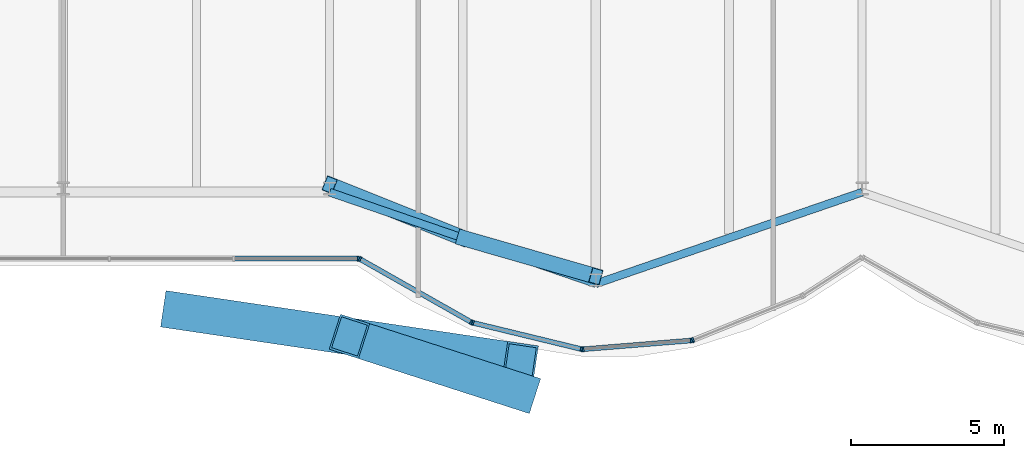
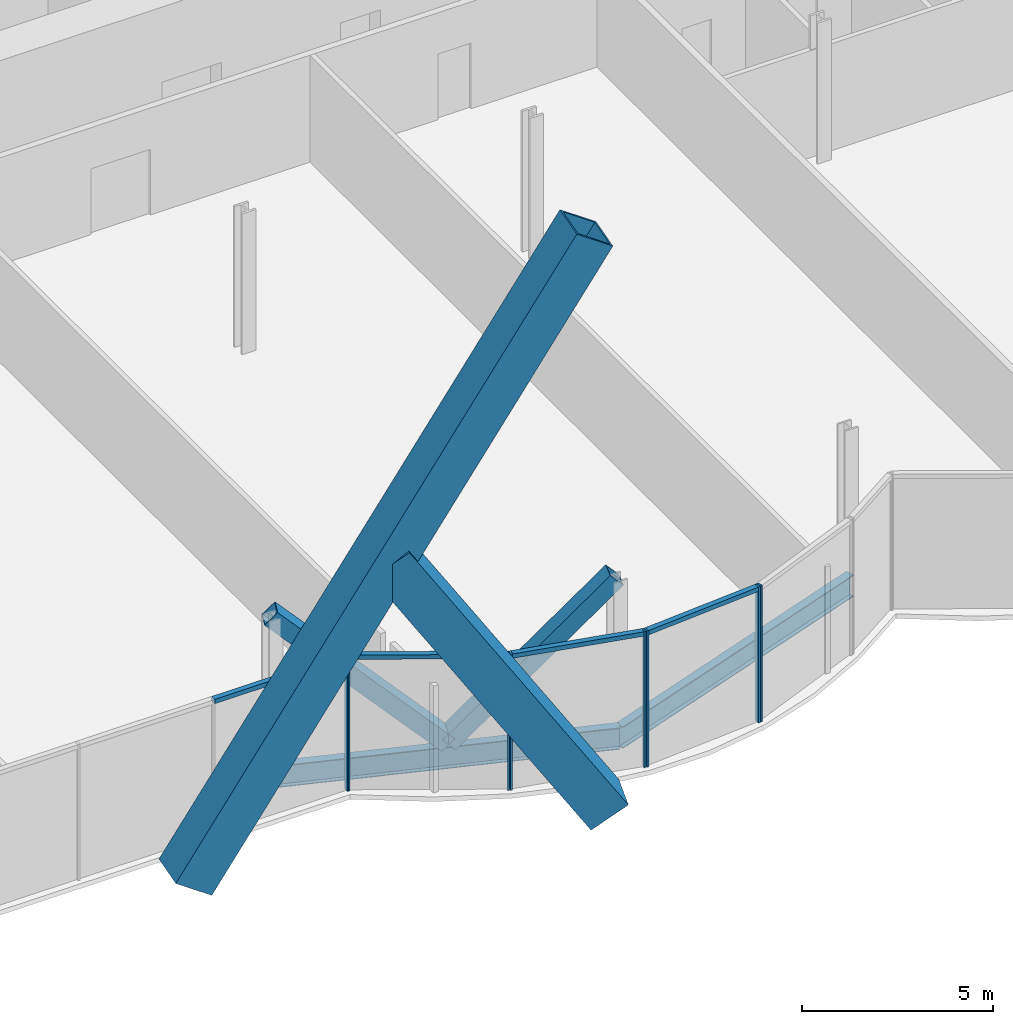
# One storey, part 5 of 23: 16 members, 2 beams, 2 elements without a shape of their own.
"""IFC4 building model written with IfcOpenShell, lengths in metres."""

import ifcopenshell
import ifcopenshell.guid

model = None  # the IFC model being written
_history = None  # IfcOwnerHistory: only IFC2X3 demands one
_inside = {}  # id of a spatial element -> (the spatial element, [elements in it])
_under = {}  # id of a project, library or spatial element -> (it, [spatial elements below it])
_declared = {}  # id of a project -> (the project, [libraries it declares])
_typed = {}  # id of a type object -> (the type object, [elements of that type])
_made_of = {}  # id of a material, layer set ... -> (it, [elements and type objects made of it])


def new_model(schema):
    """Start an empty IFC model of exactly this schema.

    Asked for "IFC4X3", IfcOpenShell would pick the latest addendum, in which some entities
    have other attributes; the version numbers below select the first issue.
    IFC2X3 requires an IfcOwnerHistory on every rooted entity: one is made here for all.
    """
    global model, _history
    if schema == "IFC4X3":
        model = ifcopenshell.file(schema_version=(4, 3, 0, 0))
    else:
        model = ifcopenshell.file(schema=schema)
    _inside.clear()
    _under.clear()
    _declared.clear()
    _typed.clear()
    _made_of.clear()
    _history = None
    if model.schema == "IFC2X3":
        org = make("IfcOrganization", Name="unknown")
        user = make(
            "IfcPersonAndOrganization",
            ThePerson=make("IfcPerson", FamilyName="unknown"),
            TheOrganization=org,
        )
        app = make(
            "IfcApplication",
            ApplicationDeveloper=org,
            Version="unknown",
            ApplicationFullName="unknown",
            ApplicationIdentifier="unknown",
        )
        _history = make(
            "IfcOwnerHistory",
            OwningUser=user,
            OwningApplication=app,
            ChangeAction="ADDED",
            CreationDate=0,
        )
    return model


def make(cls, **values):
    """One entity of the class cls with the attributes given. An attribute that is None is left unset."""
    return model.create_entity(
        cls, **{name: value for name, value in values.items() if value is not None}
    )


def rooted(cls, **values):
    """An entity with a GlobalId (a new one), such as an element, a storey or a relation."""
    return make(cls, GlobalId=ifcopenshell.guid.new(), OwnerHistory=_history, **values)


def si_unit(unit_type, name, prefix=None):
    """IfcSIUnit, for example si_unit("LENGTHUNIT", "METRE", prefix="MILLI")."""
    return make("IfcSIUnit", UnitType=unit_type, Prefix=prefix, Name=name)


def assignment(units):
    """IfcUnitAssignment: the units of a project."""
    return None if units is None else make("IfcUnitAssignment", Units=units)


def point(xyz):
    """IfcCartesianPoint."""
    return None if xyz is None else make("IfcCartesianPoint", Coordinates=xyz)


def direction(xyz):
    """IfcDirection."""
    return None if xyz is None else make("IfcDirection", DirectionRatios=xyz)


def frame(location, z_axis=None, x_axis=None):
    """IfcAxis2Placement3D, a coordinate frame: its origin and axes. An axis left out is left unset."""
    return make(
        "IfcAxis2Placement3D",
        Location=point(location),
        Axis=direction(z_axis),
        RefDirection=direction(x_axis),
    )


def frame_2d(location, x_axis=None):
    """IfcAxis2Placement2D, a coordinate frame in the plane: its origin and x axis."""
    return make(
        "IfcAxis2Placement2D", Location=point(location), RefDirection=direction(x_axis)
    )


def origin():
    """The frame at (0, 0, 0) with its axes left unset."""
    return frame((0.0, 0.0, 0.0))


def origin_2d():
    """The frame at (0, 0) in the plane with its x axis left unset."""
    return frame_2d((0.0, 0.0))


def place(relative_to, where):
    """IfcLocalPlacement: puts the frame where relative to a parent placement (None: the world)."""
    return make(
        "IfcLocalPlacement", PlacementRelTo=relative_to, RelativePlacement=where
    )


def context(
    kind, dimensions, precision=None, world=None, true_north=None, identifier=None
):
    """IfcGeometricRepresentationContext, for example the 3D "Model" context."""
    return make(
        "IfcGeometricRepresentationContext",
        ContextIdentifier=identifier,
        ContextType=kind,
        CoordinateSpaceDimension=dimensions,
        Precision=precision,
        WorldCoordinateSystem=world,
        TrueNorth=true_north,
    )


def subcontext(parent, identifier, kind, view, scale=None):
    """IfcGeometricRepresentationSubContext, for example "Body" below "Model"."""
    return make(
        "IfcGeometricRepresentationSubContext",
        ContextIdentifier=identifier,
        ContextType=kind,
        ParentContext=parent,
        TargetScale=scale,
        TargetView=view,
    )


def project(units=None, contexts=None):
    """IfcProject with its units and contexts."""
    return rooted(
        "IfcProject",
        Name="project",
        RepresentationContexts=contexts,
        UnitsInContext=assignment(units),
    )


def spatial(cls, under=None, at=None, **own):
    """A site, building, storey or space (cls), placed at a placement, below another one or the project."""
    s = rooted(cls, ObjectPlacement=at, **own)
    if under is not None:
        _under.setdefault(under.id(), (under, []))[1].append(s)
    return s


def profile(cls, at=None, kind="AREA", **sizes):
    """A parametric profile (cls). Its sizes go by their IFC names, for example OverallWidth=200.0."""
    return make(cls, ProfileType=kind, Position=at, **sizes)


def rectangle(**sizes):
    """IfcRectangleProfileDef."""
    return profile("IfcRectangleProfileDef", **sizes)


def hollow_rectangle(**sizes):
    """IfcRectangleHollowProfileDef."""
    return profile("IfcRectangleHollowProfileDef", **sizes)


def i_section(**sizes):
    """IfcIShapeProfileDef."""
    return profile("IfcIShapeProfileDef", **sizes)


def extrude(swept, where, along, depth):
    """IfcExtrudedAreaSolid: the profile swept, set in the frame where, extruded along a direction by depth."""
    return make(
        "IfcExtrudedAreaSolid",
        SweptArea=swept,
        Position=where,
        ExtrudedDirection=direction(along),
        Depth=depth,
    )


def shape(context_of_items, identifier, shape_type, items):
    """IfcShapeRepresentation: the items that make up one representation, for example the "Body"."""
    return make(
        "IfcShapeRepresentation",
        ContextOfItems=context_of_items,
        RepresentationIdentifier=identifier,
        RepresentationType=shape_type,
        Items=items,
    )


def material(Name=None, Category=None):
    """IfcMaterial."""
    return make("IfcMaterial", Name=Name, Category=Category)


def material_profile(
    of_material, cross_section, Name=None, Category=None, Priority=None
):
    """IfcMaterialProfile: a cross section and its material."""
    return make(
        "IfcMaterialProfile",
        Name=Name,
        Material=of_material,
        Profile=cross_section,
        Priority=Priority,
        Category=Category,
    )


def profile_set(profiles, Name=None, composite=None):
    """IfcMaterialProfileSet."""
    return make(
        "IfcMaterialProfileSet",
        Name=Name,
        MaterialProfiles=profiles,
        CompositeProfile=composite,
    )


def made_of(thing, what):
    """Note that an element or type object is made of a material, layer set ...; save() writes the relation."""
    if what is not None:
        _made_of.setdefault(what.id(), (what, []))[1].append(thing)
    return thing


def type_object(cls, material=None, **own):
    """A type object (cls), such as IfcWallType, which elements share."""
    return made_of(rooted(cls, **own), material)


def element(
    cls,
    number,
    at=None,
    inside=None,
    cuts=None,
    type_object=None,
    material=None,
    context=None,
    identifier="Body",
    shape_type=None,
    held_by="IfcProductDefinitionShape",
    body=None,
    shapes=None,
    **own,
):
    """One element of the class cls, such as IfcWall. Its Tag is "e" and its number.

    at: its placement. inside: the storey or other place that contains it. cuts: it is an
    opening in that element (IfcRelVoidsElement). A single representation is given by context,
    identifier, shape_type and body (its items); several are given by shapes. held_by: the class
    of the entity that holds the representations. save() writes the other relations.
    """
    e = rooted(cls, Tag="e%d" % number, ObjectPlacement=at, **own)
    if body is not None:
        shapes = [shape(context, identifier, shape_type, body)]
    if shapes is not None:
        e.Representation = make(held_by, Representations=shapes)
    if inside is not None:
        _inside.setdefault(inside.id(), (inside, []))[1].append(e)
    if cuts is not None:
        rooted(
            "IfcRelVoidsElement", RelatingBuildingElement=cuts, RelatedOpeningElement=e
        )
    if type_object is not None:
        _typed.setdefault(type_object.id(), (type_object, []))[1].append(e)
    return made_of(e, material)


def aggregate(whole, parts):
    """IfcRelAggregates: a whole, such as a stair, and the parts it consists of."""
    return rooted("IfcRelAggregates", RelatingObject=whole, RelatedObjects=parts)


def save(model, path):
    """Write the relations noted so far, then the file.

    IfcRelAggregates (storeys below a building ...), IfcRelContainedInSpatialStructure (elements
    in a storey), IfcRelDefinesByType, IfcRelAssociatesMaterial and IfcRelDeclares: one each for
    every whole, place, type object, material and project.
    """
    for whole, parts in _under.values():
        aggregate(whole, parts)
    for where, things in _inside.values():
        rooted(
            "IfcRelContainedInSpatialStructure",
            RelatedElements=things,
            RelatingStructure=where,
        )
    for kind, things in _typed.values():
        rooted("IfcRelDefinesByType", RelatedObjects=things, RelatingType=kind)
    for what, things in _made_of.values():
        rooted("IfcRelAssociatesMaterial", RelatedObjects=things, RelatingMaterial=what)
    for by, libraries in _declared.values():
        rooted("IfcRelDeclares", RelatingContext=by, RelatedDefinitions=libraries)
    model.write(path)


model = new_model("IFC4")

# Units and contexts
model_context = context("Model", 3, precision=1e-05, world=origin(), true_north=direction((0.0, 1.0)))
body_context = subcontext(model_context, "Body", "Model", "MODEL_VIEW")
ifc_project = project(units=[si_unit("LENGTHUNIT", "METRE"), si_unit("AREAUNIT", "SQUARE_METRE"), si_unit("VOLUMEUNIT", "CUBIC_METRE"), si_unit("PLANEANGLEUNIT", "RADIAN"), si_unit("MASSUNIT", "GRAM", prefix="KILO")], contexts=[model_context])

# Site, building, storey
site_placement = place(None, origin())
site = spatial("IfcSite", under=ifc_project, at=site_placement, CompositionType="ELEMENT")
building_placement = place(site_placement, origin())
building = spatial("IfcBuilding", under=site, at=building_placement, Name="Bicima Exchange Tower", CompositionType="ELEMENT")
storey_placement = place(building_placement, frame((0.0, 0.0, 53.0)))
storey = spatial("IfcBuildingStorey", under=building, at=storey_placement, Name="L10", CompositionType="ELEMENT", Elevation=53.0)

# Members
ifc_material_1 = material(Name="Steel ASTM A572 Gr 50", Category="steel")
ifc_material_profile_1 = material_profile(ifc_material_1, hollow_rectangle(XDim=1.199951171875, YDim=1.199951171875, WallThickness=0.070068359375, at=origin_2d()))
ifc_profile_set_1 = profile_set([ifc_material_profile_1], Name="Steel ASTM A572 Gr 50")
member_type_1 = type_object("IfcMemberType", Name="Exo mega brace BOX 1200x1200x70", PredefinedType="BRACE", material=ifc_profile_set_1)
member_1_placement = place(storey_placement, frame((-22.333251953125, -42.5078125, 0.300048828125), z_axis=(0.528717473205, -0.078455671228, 0.845164209595), x_axis=(0.146781443239, 0.989168948118, 0.0)))
element("IfcMember", 1, at=member_1_placement, inside=storey, type_object=member_type_1, Name="Exo mega brace front", PredefinedType="BRACE", context=body_context, shape_type="SweptSolid", body=[
    extrude(hollow_rectangle(XDim=1.199951171875, YDim=1.199951171875, WallThickness=0.070068359375, at=origin_2d()), origin(), (0.0, 0.0, 1.0), 21.119873046875),
])
member_2_placement = place(storey_placement, frame((-11.166748046875, -45.1328125, 0.300048828125), z_axis=(-0.522788588763, 0.168227785417, 0.835698213276), x_axis=(-0.306320415265, -0.951928465375, 0.0)))
element("IfcMember", 2, at=member_2_placement, inside=storey, type_object=member_type_1, Name="Exo mega brace front", PredefinedType="BRACE", context=body_context, shape_type="SweptSolid", body=[
    extrude(hollow_rectangle(XDim=1.199951171875, YDim=1.199951171875, WallThickness=0.070068359375, at=origin_2d()), origin(), (0.0, 0.0, 1.0), 10.6796875),
])

# Beams
ifc_material_2 = material(Name="Steel ASTM A992 Gr 50", Category="steel")
ifc_material_profile_2 = material_profile(ifc_material_2, i_section(OverallWidth=0.256591796875, OverallDepth=0.693359375, WebThickness=0.014404296875, FlangeThickness=0.023681640625, at=origin_2d()))
ifc_profile_set_2 = profile_set([ifc_material_profile_2], Name="Steel ASTM A992 Gr 50")
beam_type = type_object("IfcBeamType", Name="Front girder W27x114", PredefinedType="BEAM", material=ifc_profile_set_2)
for number, where, z_axis, x_axis, name in (
    (3, (-17.39990234375, -38.6240234375, -0.49658203125), (0.945674616091, -0.32511462668, 0.0), (0.32511462668, 0.945674616091, 0.0), "Front girder"),
    (4, (-8.699951171875, -41.614990234375, -0.49658203125), (0.945674616091, 0.32511462668, 0.0), (-0.32511462668, 0.945674616091, 0.0), "Front girder"),
):
    element("IfcBeam", number, at=place(storey_placement, frame(where, z_axis=z_axis, x_axis=x_axis)), inside=storey, type_object=beam_type, Name=name, PredefinedType="BEAM", context=body_context, shape_type="SweptSolid", body=[
        extrude(i_section(OverallWidth=0.256591796875, OverallDepth=0.693359375, WebThickness=0.014404296875, FlangeThickness=0.023681640625, at=origin_2d()), origin(), (0.0, 0.0, 1.0), 9.19970703125),
    ])

# Curtain wall, member
ifc_material_3 = material(Name="Anodised bronze aluminium", Category="aluminium")
curtain_wall_type = type_object("IfcCurtainWallType", Name="Front glass wall", PredefinedType="NOTDEFINED", material=ifc_material_3)
curtain_wall_1_placement = place(storey_placement, origin())
curtain_wall_1 = element("IfcCurtainWall", 5, at=curtain_wall_1_placement, inside=storey, type_object=curtain_wall_type, Name="Front glass wall L10 run 5", PredefinedType="NOTDEFINED")
ifc_material_profile_3 = material_profile(ifc_material_3, rectangle(XDim=0.159912109375, YDim=0.06005859375, at=origin_2d()))
ifc_profile_set_3 = profile_set([ifc_material_profile_3], Name="Anodised bronze aluminium")
member_type_2 = type_object("IfcMemberType", Name="Front glass wall mullion 60 x 160", PredefinedType="MULLION", material=ifc_profile_set_3)
member_3_placement = place(storey_placement, frame((-16.462158203125, -40.7939453125, 0.0), z_axis=(0.0, 0.0, 1.0), x_axis=(0.0, 1.0, 0.0)))
member_3 = element("IfcMember", 6, at=member_3_placement, type_object=member_type_2, Name="Front glass wall mullion 5", PredefinedType="MULLION", context=body_context, shape_type="SweptSolid", body=[
    extrude(rectangle(XDim=0.159912109375, YDim=0.06005859375, at=origin_2d()), origin(), (0.0, 0.0, 1.0), 4.35009765625),
])

# Curtain wall, members
curtain_wall_2_placement = place(storey_placement, origin())
curtain_wall_2 = element("IfcCurtainWall", 7, at=curtain_wall_2_placement, inside=storey, type_object=curtain_wall_type, Name="Front glass wall L10 run 6", PredefinedType="NOTDEFINED")
member_4_placement = place(storey_placement, frame((-16.406005859375, -40.808837890625, 0.0), z_axis=(0.0, 0.0, 1.0), x_axis=(0.493395449343, 0.869805110681, 0.0)))
member_4 = element("IfcMember", 8, at=member_4_placement, type_object=member_type_2, Name="Front glass wall mullion 1", PredefinedType="MULLION", context=body_context, shape_type="SweptSolid", body=[
    extrude(rectangle(XDim=0.159912109375, YDim=0.06005859375, at=origin_2d()), origin(), (0.0, 0.0, 1.0), 4.35009765625),
])
member_5_placement = place(storey_placement, frame((-12.7734375, -42.869384765625, 0.0), z_axis=(0.0, 0.0, 1.0), x_axis=(0.493395449343, 0.869805110681, 0.0)))
member_5 = element("IfcMember", 9, at=member_5_placement, type_object=member_type_2, Name="Front glass wall mullion 2", PredefinedType="MULLION", context=body_context, shape_type="SweptSolid", body=[
    extrude(rectangle(XDim=0.159912109375, YDim=0.06005859375, at=origin_2d()), origin(), (0.0, 0.0, 1.0), 4.35009765625),
])
member_6_placement = place(storey_placement, frame((-12.718017578125, -42.891357421875, 0.0), z_axis=(0.0, 0.0, 1.0), x_axis=(0.235681529503, 0.971830343553, 0.0)))
member_6 = element("IfcMember", 10, at=member_6_placement, type_object=member_type_2, Name="Front glass wall mullion 1", PredefinedType="MULLION", context=body_context, shape_type="SweptSolid", body=[
    extrude(rectangle(XDim=0.159912109375, YDim=0.06005859375, at=origin_2d()), origin(), (0.0, 0.0, 1.0), 4.35009765625),
])
member_7_placement = place(storey_placement, frame((-9.177490234375, -43.75, 0.0), z_axis=(0.0, 0.0, 1.0), x_axis=(0.235681529503, 0.971830343553, 0.0)))
member_7 = element("IfcMember", 11, at=member_7_placement, type_object=member_type_2, Name="Front glass wall mullion 2", PredefinedType="MULLION", context=body_context, shape_type="SweptSolid", body=[
    extrude(rectangle(XDim=0.159912109375, YDim=0.06005859375, at=origin_2d()), origin(), (0.0, 0.0, 1.0), 4.35009765625),
])
member_8_placement = place(storey_placement, frame((-9.118408203125, -43.754638671875, 0.0), z_axis=(0.0, 0.0, 1.0), x_axis=(-0.080588612633, 0.99674744821, 0.0)))
member_8 = element("IfcMember", 12, at=member_8_placement, type_object=member_type_2, Name="Front glass wall mullion 1", PredefinedType="MULLION", context=body_context, shape_type="SweptSolid", body=[
    extrude(rectangle(XDim=0.159912109375, YDim=0.06005859375, at=origin_2d()), origin(), (0.0, 0.0, 1.0), 4.35009765625),
])
member_9_placement = place(storey_placement, frame((-5.583984375, -43.46875, 0.0), z_axis=(0.0, 0.0, 1.0), x_axis=(-0.080588612633, 0.99674744821, 0.0)))
member_9 = element("IfcMember", 13, at=member_9_placement, type_object=member_type_2, Name="Front glass wall mullion 2", PredefinedType="MULLION", context=body_context, shape_type="SweptSolid", body=[
    extrude(rectangle(XDim=0.159912109375, YDim=0.06005859375, at=origin_2d()), origin(), (0.0, 0.0, 1.0), 4.35009765625),
])
member_10_placement = place(storey_placement, frame((-5.526123046875, -43.455078125, 0.0), z_axis=(0.0, 0.0, 1.0), x_axis=(-0.374705304, 0.92714396679, 0.0)))
member_10 = element("IfcMember", 14, at=member_10_placement, type_object=member_type_2, Name="Front glass wall mullion 1", PredefinedType="MULLION", context=body_context, shape_type="SweptSolid", body=[
    extrude(rectangle(XDim=0.159912109375, YDim=0.06005859375, at=origin_2d()), origin(), (0.0, 0.0, 1.0), 4.35009765625),
])

# Member
ifc_material_profile_4 = material_profile(ifc_material_3, rectangle(XDim=0.159912109375, YDim=0.139892578125, at=origin_2d()))
ifc_profile_set_4 = profile_set([ifc_material_profile_4], Name="Anodised bronze aluminium")
member_type_3 = type_object("IfcMemberType", Name="Front glass wall transom 140 x 160", PredefinedType="USERDEFINED", material=ifc_profile_set_4)
member_11_placement = place(storey_placement, frame((-20.501708984375, -40.7939453125, 4.280029296875), z_axis=(1.0, 0.0, 0.0), x_axis=(0.0, 1.0, 0.0)))
member_11 = element("IfcMember", 15, at=member_11_placement, type_object=member_type_3, Name="Front glass wall transom 4.1", ObjectType="TRANSOM", PredefinedType="USERDEFINED", context=body_context, shape_type="SweptSolid", body=[
    extrude(rectangle(XDim=0.159912109375, YDim=0.139892578125, at=origin_2d()), origin(), (0.0, 0.0, 1.0), 4.009521484375),
])

aggregate(curtain_wall_1, [member_3, member_11])

member_12_placement = place(storey_placement, frame((-16.3798828125, -40.823486328125, 4.280029296875), z_axis=(0.869797371721, -0.49340909208, 0.0), x_axis=(0.49340909208, 0.869797371721, 0.0)))
member_12 = element("IfcMember", 16, at=member_12_placement, type_object=member_type_3, Name="Front glass wall transom 1.1", ObjectType="TRANSOM", PredefinedType="USERDEFINED", context=body_context, shape_type="SweptSolid", body=[
    extrude(rectangle(XDim=0.159912109375, YDim=0.139892578125, at=origin_2d()), origin(), (0.0, 0.0, 1.0), 4.1162109375),
])

member_13_placement = place(storey_placement, frame((-12.68896484375, -42.898193359375, 4.280029296875), z_axis=(0.971817951661, -0.235732621477, 0.0), x_axis=(0.235732621477, 0.971817951661, 0.0)))
member_13 = element("IfcMember", 17, at=member_13_placement, type_object=member_type_3, Name="Front glass wall transom 1.1", ObjectType="TRANSOM", PredefinedType="USERDEFINED", context=body_context, shape_type="SweptSolid", body=[
    extrude(rectangle(XDim=0.159912109375, YDim=0.139892578125, at=origin_2d()), origin(), (0.0, 0.0, 1.0), 3.58349609375),
])

member_14_placement = place(storey_placement, frame((-9.08837890625, -43.752197265625, 4.280029296875), z_axis=(0.9967456465, 0.080610893699, 0.0), x_axis=(-0.080610893699, 0.9967456465, 0.0)))
member_14 = element("IfcMember", 18, at=member_14_placement, type_object=member_type_3, Name="Front glass wall transom 1.1", ObjectType="TRANSOM", PredefinedType="USERDEFINED", context=body_context, shape_type="SweptSolid", body=[
    extrude(rectangle(XDim=0.159912109375, YDim=0.139892578125, at=origin_2d()), origin(), (0.0, 0.0, 1.0), 3.48583984375),
])

aggregate(curtain_wall_2, [member_4, member_5, member_12, member_6, member_7, member_13, member_8, member_9, member_14, member_10])

# Members
ifc_material_profile_5 = material_profile(ifc_material_1, hollow_rectangle(XDim=0.508056640625, YDim=0.508056640625, WallThickness=0.017822265625, at=origin_2d()))
ifc_profile_set_5 = profile_set([ifc_material_profile_5], Name="Steel ASTM A572 Gr 50")
member_type_4 = type_object("IfcMemberType", Name="Mega brace HSS20x20x3/4", PredefinedType="BRACE", material=ifc_profile_set_5)
member_15_placement = place(storey_placement, frame((-13.050048828125, -40.119384765625, 0.0), z_axis=(0.681534473108, -0.196106591291, 0.705019834343), x_axis=(0.276522876258, 0.961007335511, 0.0)))
element("IfcMember", 19, at=member_15_placement, inside=storey, type_object=member_type_4, Name="Mega brace front", PredefinedType="BRACE", context=body_context, shape_type="SweptSolid", body=[
    extrude(hollow_rectangle(XDim=0.508056640625, YDim=0.508056640625, WallThickness=0.017822265625, at=origin_2d()), origin(), (0.0, 0.0, 1.0), 6.3828125),
])
member_16_placement = place(storey_placement, frame((-13.050048828125, -40.119384765625, 0.0), z_axis=(-0.669627633412, 0.267783402821, 0.692741569234), x_axis=(-0.371309808925, -0.928509033772, 0.0)))
element("IfcMember", 20, at=member_16_placement, inside=storey, type_object=member_type_4, Name="Mega brace front", PredefinedType="BRACE", context=body_context, shape_type="SweptSolid", body=[
    extrude(hollow_rectangle(XDim=0.508056640625, YDim=0.508056640625, WallThickness=0.017822265625, at=origin_2d()), origin(), (0.0, 0.0, 1.0), 6.495849609375),
])

save(model, "model.ifc")
